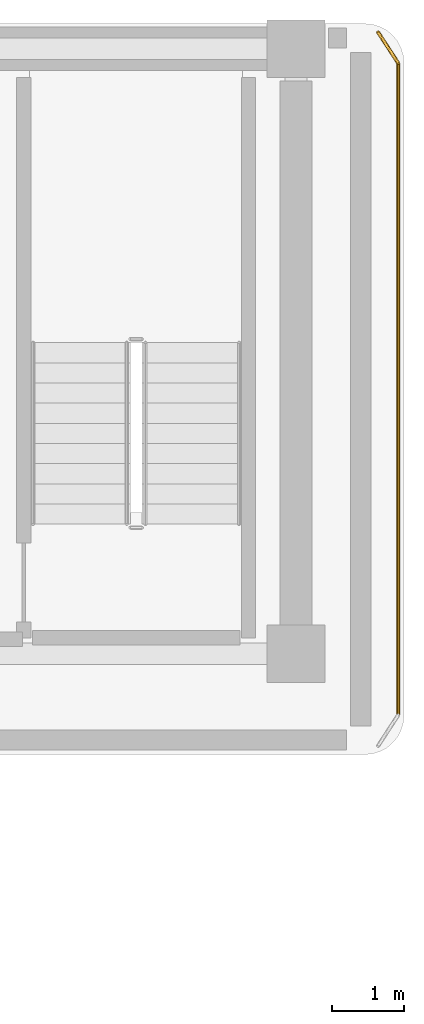
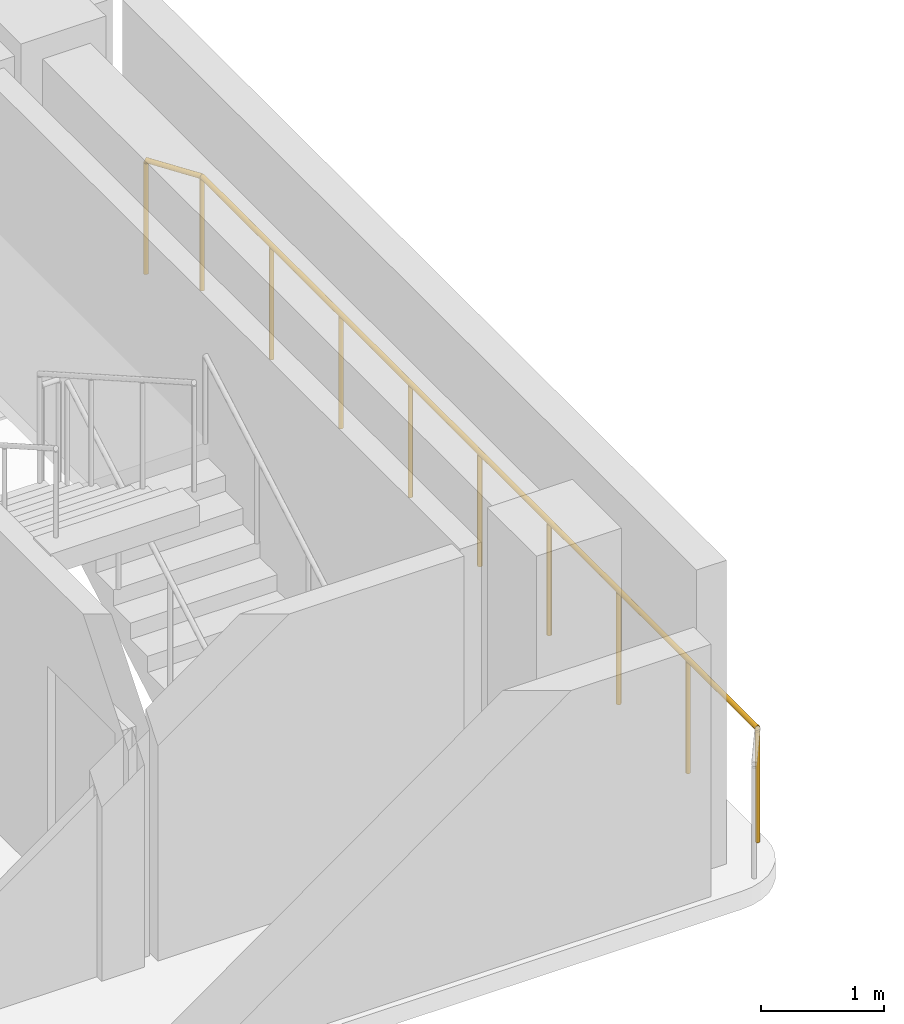
# One storey, part 5 of 5: 2 railings.
"""IFC4 building model written with IfcOpenShell, lengths in metres."""

from ifc_helpers import new_model, si_unit, direction, frame, origin, origin_2d, place, context, subcontext, project, spatial, circle, extrude, material, layer, layer_set, type_object, element, save


model = new_model("IFC4")

# Units and contexts
model_context = context("Model", 3, precision=1e-05, world=origin(), true_north=direction((0.0, 1.0)))
body_context = subcontext(model_context, "Body", "Model", "MODEL_VIEW")
ifc_project = project(units=[si_unit("LENGTHUNIT", "METRE"), si_unit("AREAUNIT", "SQUARE_METRE"), si_unit("VOLUMEUNIT", "CUBIC_METRE"), si_unit("PLANEANGLEUNIT", "RADIAN"), si_unit("MASSUNIT", "GRAM", prefix="KILO")], contexts=[model_context])

# Site, building, storey
site_placement = place(None, origin())
site = spatial("IfcSite", under=ifc_project, at=site_placement, CompositionType="ELEMENT")
building_placement = place(site_placement, origin())
building = spatial("IfcBuilding", under=site, at=building_placement, Name="Kuzgunbayir Cultural Tower", CompositionType="ELEMENT")
storey_placement = place(building_placement, frame((0.0, 0.0, 228.0)))
storey = spatial("IfcBuildingStorey", under=building, at=storey_placement, Name="L67", CompositionType="ELEMENT", Elevation=228.0)

# Railings
ifc_material = material(Name="Laminated Glass and Stainless Steel", Category="steel")
ifc_layer = layer(ifc_material, 0.080078125)
ifc_layer_set = layer_set([ifc_layer], Name="Laminated Glass and Stainless Steel")
railing_type = type_object("IfcRailingType", Name="RLG-BAL-115", PredefinedType="BALUSTRADE", material=ifc_layer_set)
railing_1_placement = place(storey_placement, frame((28.0400390625, 42.429931640625, 0.0)))
element("IfcRailing", 1, at=railing_1_placement, inside=storey, type_object=railing_type, Name="L67 Perimeter Edge Guard 1", PredefinedType="BALUSTRADE", context=body_context, shape_type="SweptSolid", body=[
    extrude(circle(Radius=0.02392578125, at=origin_2d()), frame((0.0, 0.0, 1.1259765625), z_axis=(0.545774188207, -0.837932297675, 0.0), x_axis=(0.837932297675, 0.545774188207, 0.0)), (0.0, 0.0, 1.0), 0.51318359375),
    extrude(circle(Radius=0.02099609375, at=origin_2d()), origin(), (0.0, 0.0, 1.0), 1.101806640625),
    extrude(circle(Radius=0.02099609375, at=origin_2d()), frame((0.280029296875, -0.429931640625, 0.0)), (0.0, 0.0, 1.0), 1.101806640625),
])
railing_2_placement = place(storey_placement, frame((28.320068359375, 42.0, 0.0)))
element("IfcRailing", 2, at=railing_2_placement, inside=storey, type_object=railing_type, Name="L67 Perimeter Edge Guard 2", PredefinedType="BALUSTRADE", context=body_context, shape_type="SweptSolid", body=[
    extrude(circle(Radius=0.02392578125, at=origin_2d()), frame((0.0, 0.0, 1.1259765625), z_axis=(0.0, -1.0, 0.0), x_axis=(1.0, 0.0, 0.0)), (0.0, 0.0, 1.0), 9.050048828125),
    extrude(circle(Radius=0.02099609375, at=origin_2d()), origin(), (0.0, 0.0, 1.0), 1.101806640625),
    extrude(circle(Radius=0.02099609375, at=origin_2d()), frame((0.0, -1.13134765625, 0.0)), (0.0, 0.0, 1.0), 1.101806640625),
    extrude(circle(Radius=0.02099609375, at=origin_2d()), frame((0.0, -2.262451171875, 0.0)), (0.0, 0.0, 1.0), 1.101806640625),
    extrude(circle(Radius=0.02099609375, at=origin_2d()), frame((0.0, -3.393798828125, 0.0)), (0.0, 0.0, 1.0), 1.101806640625),
    extrude(circle(Radius=0.02099609375, at=origin_2d()), frame((0.0, -4.52490234375, 0.0)), (0.0, 0.0, 1.0), 1.101806640625),
    extrude(circle(Radius=0.02099609375, at=origin_2d()), frame((0.0, -5.65625, 0.0)), (0.0, 0.0, 1.0), 1.101806640625),
    extrude(circle(Radius=0.02099609375, at=origin_2d()), frame((0.0, -6.78759765625, 0.0)), (0.0, 0.0, 1.0), 1.101806640625),
    extrude(circle(Radius=0.02099609375, at=origin_2d()), frame((0.0, -7.918701171875, 0.0)), (0.0, 0.0, 1.0), 1.101806640625),
    extrude(circle(Radius=0.02099609375, at=origin_2d()), frame((0.0, -9.050048828125, 0.0)), (0.0, 0.0, 1.0), 1.101806640625),
])

save(model, "model.ifc")
